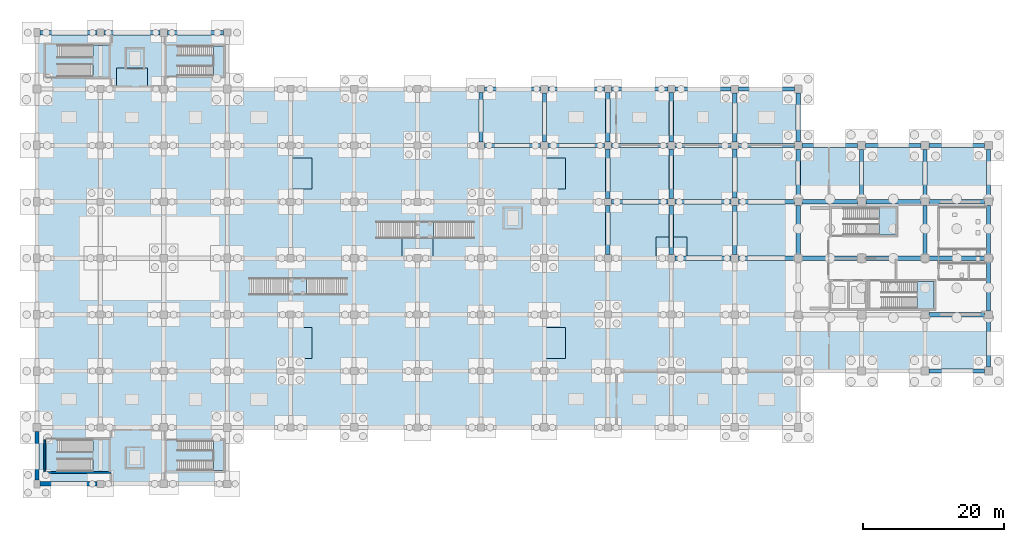
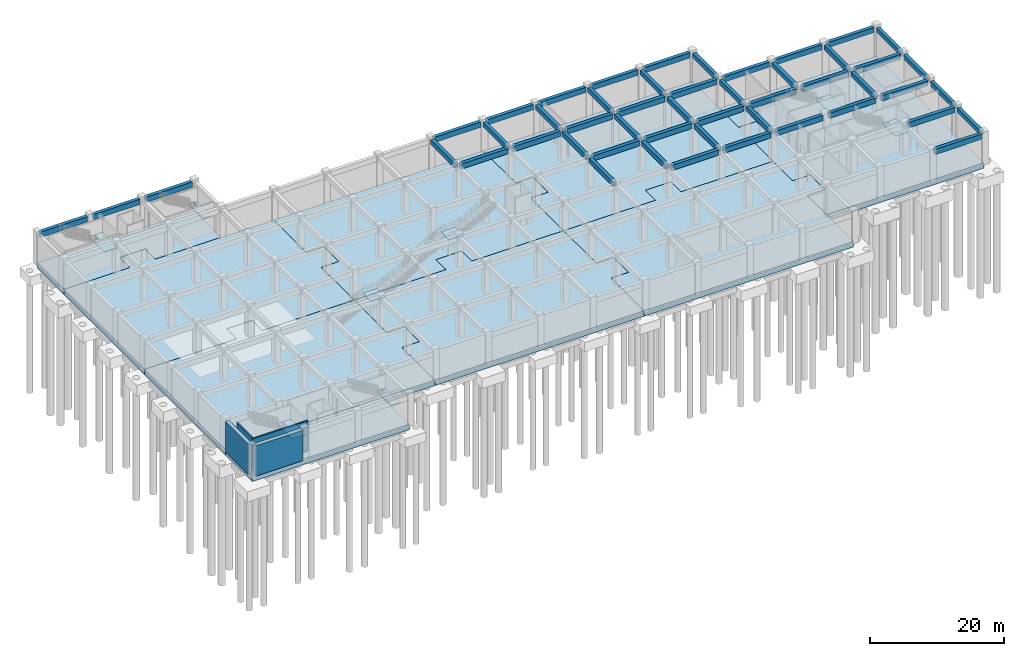
# One storey, part 8 of 18: 50 beams, 17 slabs, 4 walls, 8 elements without a shape of their own.
"""IFC4 building model written with IfcOpenShell, lengths in metres."""

from ifc_helpers import new_model, si_unit, derived_unit, direction, frame, frame_2d, origin, origin_2d, place, context, subcontext, project, spatial, polyline, rectangle, outline, extrude, material, layer, layer_set, material_profile, profile_set, type_object, element, aggregate, save


model = new_model("IFC4")

# Units and contexts
model_context = context("Model", 3, precision=1e-05, world=origin(), true_north=direction((0.0, 1.0)))
body_context = subcontext(model_context, "Body", "Model", "MODEL_VIEW")
ifc_project = project(units=[si_unit("LENGTHUNIT", "METRE"), si_unit("AREAUNIT", "SQUARE_METRE"), si_unit("VOLUMEUNIT", "CUBIC_METRE"), si_unit("PLANEANGLEUNIT", "RADIAN"), si_unit("MASSUNIT", "GRAM", prefix="KILO"), derived_unit("THERMALTRANSMITTANCEUNIT", [(si_unit("MASSUNIT", "GRAM", prefix="KILO"), 1), (si_unit("TIMEUNIT", "SECOND"), -3), (si_unit("THERMODYNAMICTEMPERATUREUNIT", "KELVIN"), -1)])], contexts=[model_context])

# Site, building, storey
site_placement = place(None, origin())
site = spatial("IfcSite", under=ifc_project, at=site_placement, CompositionType="ELEMENT")
building_placement = place(site_placement, origin())
building = spatial("IfcBuilding", under=site, at=building_placement, Name="Zhenchuan Archway Interchange", CompositionType="ELEMENT")
storey_placement = place(building_placement, frame((0.0, 0.0, -12.0)))
storey = spatial("IfcBuildingStorey", under=building, at=storey_placement, Name="B2", CompositionType="ELEMENT", Elevation=-12.0)

# Beams
ifc_material_1 = material(Name="Concrete C40", Category="concrete")
ifc_material_profile_1 = material_profile(ifc_material_1, rectangle(XDim=0.60009765625, YDim=0.85009765625, at=origin_2d()), Name="RC 600x850")
ifc_profile_set_1 = profile_set([ifc_material_profile_1], Name="Concrete C40")
beam_type_1 = type_object("IfcBeamType", Name="BM_RC_600x850", PredefinedType="BEAM", material=ifc_profile_set_1)
beam_1_placement = place(storey_placement, frame((99.0, 72.5, 5.135009765625), z_axis=(0.0, 1.0, 0.0), x_axis=(-1.0, 0.0, 0.0)))
element("IfcBeam", 1, at=beam_1_placement, inside=storey, type_object=beam_type_1, Name="Beam 12:K-L (B2)", PredefinedType="BEAM", context=body_context, shape_type="SweptSolid", body=[
    extrude(rectangle(XDim=0.60009765625, YDim=0.85009765625, at=origin_2d()), origin(), (0.0, 0.0, 1.0), 7.0),
])
beam_2_placement = place(storey_placement, frame((108.0, 72.52490234375, 5.135009765625), z_axis=(0.0, 1.0, 0.0), x_axis=(-1.0, 0.0, 0.0)))
element("IfcBeam", 2, at=beam_2_placement, inside=storey, type_object=beam_type_1, Name="Beam 13:K-L (B2)", PredefinedType="BEAM", context=body_context, shape_type="SweptSolid", body=[
    extrude(rectangle(XDim=0.60009765625, YDim=0.85009765625, at=origin_2d()), origin(), (0.0, 0.0, 1.0), 6.9501953125),
])
for number, where, z_axis, x_axis, name in (
    (3, (117.0, 56.5, 5.135009765625), (0.0, 1.0, 0.0), (-1.0, 0.0, 0.0), "Beam 14:H-J (B2)"),
    (4, (117.0, 64.5, 5.135009765625), (0.0, 1.0, 0.0), (-1.0, 0.0, 0.0), "Beam 14:J-K (B2)"),
    (5, (117.0, 72.5, 5.135009765625), (0.0, 1.0, 0.0), (-1.0, 0.0, 0.0), "Beam 14:K-L (B2)"),
    (6, (126.0, 56.5, 5.135009765625), (0.0, 1.0, 0.0), (-1.0, 0.0, 0.0), "Beam 15:H-J (B2)"),
    (7, (126.0, 64.5, 5.135009765625), (0.0, 1.0, 0.0), (-1.0, 0.0, 0.0), "Beam 15:J-K (B2)"),
    (8, (126.0, 72.5, 5.135009765625), (0.0, 1.0, 0.0), (-1.0, 0.0, 0.0), "Beam 15:K-L (B2)"),
):
    element("IfcBeam", number, at=place(storey_placement, frame(where, z_axis=z_axis, x_axis=x_axis)), inside=storey, type_object=beam_type_1, Name=name, PredefinedType="BEAM", context=body_context, shape_type="SweptSolid", body=[
        extrude(rectangle(XDim=0.60009765625, YDim=0.85009765625, at=origin_2d()), origin(), (0.0, 0.0, 1.0), 7.0),
    ])
for number, where, z_axis, x_axis, name in (
    (9, (135.0, 56.52490234375, 5.135009765625), (0.0, 1.0, 0.0), (-1.0, 0.0, 0.0), "Beam 16:H-J (B2)"),
    (10, (135.0, 64.52490234375, 5.135009765625), (0.0, 1.0, 0.0), (-1.0, 0.0, 0.0), "Beam 16:J-K (B2)"),
    (11, (135.0, 72.52490234375, 5.135009765625), (0.0, 1.0, 0.0), (-1.0, 0.0, 0.0), "Beam 16:K-L (B2)"),
):
    element("IfcBeam", number, at=place(storey_placement, frame(where, z_axis=z_axis, x_axis=x_axis)), inside=storey, type_object=beam_type_1, Name=name, PredefinedType="BEAM", context=body_context, shape_type="SweptSolid", body=[
        extrude(rectangle(XDim=0.60009765625, YDim=0.85009765625, at=origin_2d()), origin(), (0.0, 0.0, 1.0), 6.9501953125),
    ])
for number, where, z_axis, x_axis, name in (
    (12, (144.0, 56.550048828125, 5.135009765625), (0.0, 1.0, 0.0), (-1.0, 0.0, 0.0), "Beam 17:H-J (B2)"),
    (13, (144.0, 64.550048828125, 5.135009765625), (0.0, 1.0, 0.0), (-1.0, 0.0, 0.0), "Beam 17:J-K (B2)"),
    (14, (144.0, 72.550048828125, 5.135009765625), (0.0, 1.0, 0.0), (-1.0, 0.0, 0.0), "Beam 17:K-L (B2)"),
):
    element("IfcBeam", number, at=place(storey_placement, frame(where, z_axis=z_axis, x_axis=x_axis)), inside=storey, type_object=beam_type_1, Name=name, PredefinedType="BEAM", context=body_context, shape_type="SweptSolid", body=[
        extrude(rectangle(XDim=0.60009765625, YDim=0.85009765625, at=origin_2d()), origin(), (0.0, 0.0, 1.0), 6.89990234375),
    ])
beam_3_placement = place(storey_placement, frame((153.0, 64.60009765625, 5.135009765625), z_axis=(0.0, 1.0, 0.0), x_axis=(-1.0, 0.0, 0.0)))
element("IfcBeam", 15, at=beam_3_placement, inside=storey, type_object=beam_type_1, Name="Beam 18:J-K (B2)", PredefinedType="BEAM", context=body_context, shape_type="SweptSolid", body=[
    extrude(rectangle(XDim=0.60009765625, YDim=0.85009765625, at=origin_2d()), origin(), (0.0, 0.0, 1.0), 6.849853515625),
])
for number, where, z_axis, x_axis, name in (
    (16, (162.0, 56.550048828125, 5.135009765625), (0.0, 1.0, 0.0), (-1.0, 0.0, 0.0), "Beam 19:H-J (B2)"),
    (17, (162.0, 64.550048828125, 5.135009765625), (0.0, 1.0, 0.0), (-1.0, 0.0, 0.0), "Beam 19:J-K (B2)"),
    (18, (171.0, 40.550048828125, 5.135009765625), (0.0, 1.0, 0.0), (-1.0, 0.0, 0.0), "Beam 20:F-G (B2)"),
    (19, (171.0, 48.550048828125, 5.135009765625), (0.0, 1.0, 0.0), (-1.0, 0.0, 0.0), "Beam 20:G-H (B2)"),
    (20, (171.0, 56.550048828125, 5.135009765625), (0.0, 1.0, 0.0), (-1.0, 0.0, 0.0), "Beam 20:H-J (B2)"),
    (21, (171.0, 64.550048828125, 5.135009765625), (0.0, 1.0, 0.0), (-1.0, 0.0, 0.0), "Beam 20:J-K (B2)"),
):
    element("IfcBeam", number, at=place(storey_placement, frame(where, z_axis=z_axis, x_axis=x_axis)), inside=storey, type_object=beam_type_1, Name=name, PredefinedType="BEAM", context=body_context, shape_type="SweptSolid", body=[
        extrude(rectangle(XDim=0.60009765625, YDim=0.85009765625, at=origin_2d()), origin(), (0.0, 0.0, 1.0), 6.89990234375),
    ])
ifc_material_profile_2 = material_profile(ifc_material_1, rectangle(XDim=0.60009765625, YDim=0.949951171875, at=origin_2d()), Name="RC 600x950")
ifc_profile_set_2 = profile_set([ifc_material_profile_2], Name="Concrete C40")
beam_type_2 = type_object("IfcBeamType", Name="BM_RC_600x950", PredefinedType="BEAM", material=ifc_profile_set_2)
for number, where, z_axis, x_axis, name in (
    (22, (162.550048828125, 40.0, 5.0849609375), (1.0, 0.0, 0.0), (0.0, 1.0, 0.0), "Beam F:19-20 (B2)"),
    (23, (162.550048828125, 48.0, 5.0849609375), (1.0, 0.0, 0.0), (0.0, 1.0, 0.0), "Beam G:19-20 (B2)"),
):
    element("IfcBeam", number, at=place(storey_placement, frame(where, z_axis=z_axis, x_axis=x_axis)), inside=storey, type_object=beam_type_2, Name=name, PredefinedType="BEAM", context=body_context, shape_type="SweptSolid", body=[
        extrude(rectangle(XDim=0.60009765625, YDim=0.949951171875, at=origin_2d()), origin(), (0.0, 0.0, 1.0), 7.89990234375),
    ])
beam_4_placement = place(storey_placement, frame((126.5, 56.0, 5.0849609375), z_axis=(1.0, 0.0, 0.0), x_axis=(0.0, 1.0, 0.0)))
element("IfcBeam", 24, at=beam_4_placement, inside=storey, type_object=beam_type_2, Name="Beam H:15-16 (B2)", PredefinedType="BEAM", context=body_context, shape_type="SweptSolid", body=[
    extrude(rectangle(XDim=0.60009765625, YDim=0.949951171875, at=origin_2d()), origin(), (0.0, 0.0, 1.0), 7.97509765625),
])
beam_5_placement = place(storey_placement, frame((135.52490234375, 56.0, 5.0849609375), z_axis=(1.0, 0.0, 0.0), x_axis=(0.0, 1.0, 0.0)))
element("IfcBeam", 25, at=beam_5_placement, inside=storey, type_object=beam_type_2, Name="Beam H:16-17 (B2)", PredefinedType="BEAM", context=body_context, shape_type="SweptSolid", body=[
    extrude(rectangle(XDim=0.60009765625, YDim=0.949951171875, at=origin_2d()), origin(), (0.0, 0.0, 1.0), 7.925048828125),
])
for number, where, z_axis, x_axis, name in (
    (26, (144.550048828125, 56.0, 5.0849609375), (1.0, 0.0, 0.0), (0.0, 1.0, 0.0), "Beam H:17-18 (B2)"),
    (27, (153.60009765625, 56.0, 5.0849609375), (1.0, 0.0, 0.0), (0.0, 1.0, 0.0), "Beam H:18-19 (B2)"),
):
    element("IfcBeam", number, at=place(storey_placement, frame(where, z_axis=z_axis, x_axis=x_axis)), inside=storey, type_object=beam_type_2, Name=name, PredefinedType="BEAM", context=body_context, shape_type="SweptSolid", body=[
        extrude(rectangle(XDim=0.60009765625, YDim=0.949951171875, at=origin_2d()), origin(), (0.0, 0.0, 1.0), 7.849853515625),
    ])
beam_6_placement = place(storey_placement, frame((162.550048828125, 56.0, 5.0849609375), z_axis=(1.0, 0.0, 0.0), x_axis=(0.0, 1.0, 0.0)))
element("IfcBeam", 28, at=beam_6_placement, inside=storey, type_object=beam_type_2, Name="Beam H:19-20 (B2)", PredefinedType="BEAM", context=body_context, shape_type="SweptSolid", body=[
    extrude(rectangle(XDim=0.60009765625, YDim=0.949951171875, at=origin_2d()), origin(), (0.0, 0.0, 1.0), 7.89990234375),
])
beam_7_placement = place(storey_placement, frame((117.5, 64.0, 5.0849609375), z_axis=(1.0, 0.0, 0.0), x_axis=(0.0, 1.0, 0.0)))
element("IfcBeam", 29, at=beam_7_placement, inside=storey, type_object=beam_type_2, Name="Beam J:14-15 (B2)", PredefinedType="BEAM", context=body_context, shape_type="SweptSolid", body=[
    extrude(rectangle(XDim=0.60009765625, YDim=0.949951171875, at=origin_2d()), origin(), (0.0, 0.0, 1.0), 8.0),
])
beam_8_placement = place(storey_placement, frame((126.5, 64.0, 5.0849609375), z_axis=(1.0, 0.0, 0.0), x_axis=(0.0, 1.0, 0.0)))
element("IfcBeam", 30, at=beam_8_placement, inside=storey, type_object=beam_type_2, Name="Beam J:15-16 (B2)", PredefinedType="BEAM", context=body_context, shape_type="SweptSolid", body=[
    extrude(rectangle(XDim=0.60009765625, YDim=0.949951171875, at=origin_2d()), origin(), (0.0, 0.0, 1.0), 7.97509765625),
])
beam_9_placement = place(storey_placement, frame((135.52490234375, 64.0, 5.0849609375), z_axis=(1.0, 0.0, 0.0), x_axis=(0.0, 1.0, 0.0)))
element("IfcBeam", 31, at=beam_9_placement, inside=storey, type_object=beam_type_2, Name="Beam J:16-17 (B2)", PredefinedType="BEAM", context=body_context, shape_type="SweptSolid", body=[
    extrude(rectangle(XDim=0.60009765625, YDim=0.949951171875, at=origin_2d()), origin(), (0.0, 0.0, 1.0), 7.925048828125),
])
for number, where, z_axis, x_axis, name in (
    (32, (144.550048828125, 64.0, 5.0849609375), (1.0, 0.0, 0.0), (0.0, 1.0, 0.0), "Beam J:17-18 (B2)"),
    (33, (153.60009765625, 64.0, 5.0849609375), (1.0, 0.0, 0.0), (0.0, 1.0, 0.0), "Beam J:18-19 (B2)"),
):
    element("IfcBeam", number, at=place(storey_placement, frame(where, z_axis=z_axis, x_axis=x_axis)), inside=storey, type_object=beam_type_2, Name=name, PredefinedType="BEAM", context=body_context, shape_type="SweptSolid", body=[
        extrude(rectangle(XDim=0.60009765625, YDim=0.949951171875, at=origin_2d()), origin(), (0.0, 0.0, 1.0), 7.849853515625),
    ])
beam_10_placement = place(storey_placement, frame((162.550048828125, 64.0, 5.0849609375), z_axis=(1.0, 0.0, 0.0), x_axis=(0.0, 1.0, 0.0)))
element("IfcBeam", 34, at=beam_10_placement, inside=storey, type_object=beam_type_2, Name="Beam J:19-20 (B2)", PredefinedType="BEAM", context=body_context, shape_type="SweptSolid", body=[
    extrude(rectangle(XDim=0.60009765625, YDim=0.949951171875, at=origin_2d()), origin(), (0.0, 0.0, 1.0), 7.89990234375),
])
for number, where, z_axis, x_axis, name in (
    (35, (99.5, 72.0, 5.0849609375), (1.0, 0.0, 0.0), (0.0, 1.0, 0.0), "Beam K:12-13 (B2)"),
    (36, (108.52490234375, 72.0, 5.0849609375), (1.0, 0.0, 0.0), (0.0, 1.0, 0.0), "Beam K:13-14 (B2)"),
):
    element("IfcBeam", number, at=place(storey_placement, frame(where, z_axis=z_axis, x_axis=x_axis)), inside=storey, type_object=beam_type_2, Name=name, PredefinedType="BEAM", context=body_context, shape_type="SweptSolid", body=[
        extrude(rectangle(XDim=0.60009765625, YDim=0.949951171875, at=origin_2d()), origin(), (0.0, 0.0, 1.0), 7.97509765625),
    ])
beam_11_placement = place(storey_placement, frame((117.5, 72.0, 5.0849609375), z_axis=(1.0, 0.0, 0.0), x_axis=(0.0, 1.0, 0.0)))
element("IfcBeam", 37, at=beam_11_placement, inside=storey, type_object=beam_type_2, Name="Beam K:14-15 (B2)", PredefinedType="BEAM", context=body_context, shape_type="SweptSolid", body=[
    extrude(rectangle(XDim=0.60009765625, YDim=0.949951171875, at=origin_2d()), origin(), (0.0, 0.0, 1.0), 8.0),
])
beam_12_placement = place(storey_placement, frame((126.5, 72.0, 5.0849609375), z_axis=(1.0, 0.0, 0.0), x_axis=(0.0, 1.0, 0.0)))
element("IfcBeam", 38, at=beam_12_placement, inside=storey, type_object=beam_type_2, Name="Beam K:15-16 (B2)", PredefinedType="BEAM", context=body_context, shape_type="SweptSolid", body=[
    extrude(rectangle(XDim=0.60009765625, YDim=0.949951171875, at=origin_2d()), origin(), (0.0, 0.0, 1.0), 7.97509765625),
])
beam_13_placement = place(storey_placement, frame((135.52490234375, 72.0, 5.0849609375), z_axis=(1.0, 0.0, 0.0), x_axis=(0.0, 1.0, 0.0)))
element("IfcBeam", 39, at=beam_13_placement, inside=storey, type_object=beam_type_2, Name="Beam K:16-17 (B2)", PredefinedType="BEAM", context=body_context, shape_type="SweptSolid", body=[
    extrude(rectangle(XDim=0.60009765625, YDim=0.949951171875, at=origin_2d()), origin(), (0.0, 0.0, 1.0), 7.925048828125),
])
for number, where, z_axis, x_axis, name in (
    (40, (144.550048828125, 72.0, 5.0849609375), (1.0, 0.0, 0.0), (0.0, 1.0, 0.0), "Beam K:17-18 (B2)"),
    (41, (153.550048828125, 72.0, 5.0849609375), (1.0, 0.0, 0.0), (0.0, 1.0, 0.0), "Beam K:18-19 (B2)"),
    (42, (162.550048828125, 72.0, 5.0849609375), (1.0, 0.0, 0.0), (0.0, 1.0, 0.0), "Beam K:19-20 (B2)"),
):
    element("IfcBeam", number, at=place(storey_placement, frame(where, z_axis=z_axis, x_axis=x_axis)), inside=storey, type_object=beam_type_2, Name=name, PredefinedType="BEAM", context=body_context, shape_type="SweptSolid", body=[
        extrude(rectangle(XDim=0.60009765625, YDim=0.949951171875, at=origin_2d()), origin(), (0.0, 0.0, 1.0), 7.89990234375),
    ])
for number, where, z_axis, x_axis, name in (
    (43, (99.5, 80.0, 5.0849609375), (1.0, 0.0, 0.0), (0.0, 1.0, 0.0), "Beam L:12-13 (B2)"),
    (44, (108.52490234375, 80.0, 5.0849609375), (1.0, 0.0, 0.0), (0.0, 1.0, 0.0), "Beam L:13-14 (B2)"),
):
    element("IfcBeam", number, at=place(storey_placement, frame(where, z_axis=z_axis, x_axis=x_axis)), inside=storey, type_object=beam_type_2, Name=name, PredefinedType="BEAM", context=body_context, shape_type="SweptSolid", body=[
        extrude(rectangle(XDim=0.60009765625, YDim=0.949951171875, at=origin_2d()), origin(), (0.0, 0.0, 1.0), 7.97509765625),
    ])
beam_14_placement = place(storey_placement, frame((117.5, 80.0, 5.0849609375), z_axis=(1.0, 0.0, 0.0), x_axis=(0.0, 1.0, 0.0)))
element("IfcBeam", 45, at=beam_14_placement, inside=storey, type_object=beam_type_2, Name="Beam L:14-15 (B2)", PredefinedType="BEAM", context=body_context, shape_type="SweptSolid", body=[
    extrude(rectangle(XDim=0.60009765625, YDim=0.949951171875, at=origin_2d()), origin(), (0.0, 0.0, 1.0), 8.0),
])
beam_15_placement = place(storey_placement, frame((126.5, 80.0, 5.0849609375), z_axis=(1.0, 0.0, 0.0), x_axis=(0.0, 1.0, 0.0)))
element("IfcBeam", 46, at=beam_15_placement, inside=storey, type_object=beam_type_2, Name="Beam L:15-16 (B2)", PredefinedType="BEAM", context=body_context, shape_type="SweptSolid", body=[
    extrude(rectangle(XDim=0.60009765625, YDim=0.949951171875, at=origin_2d()), origin(), (0.0, 0.0, 1.0), 7.97509765625),
])
beam_16_placement = place(storey_placement, frame((135.52490234375, 80.0, 5.0849609375), z_axis=(1.0, 0.0, 0.0), x_axis=(0.0, 1.0, 0.0)))
element("IfcBeam", 47, at=beam_16_placement, inside=storey, type_object=beam_type_2, Name="Beam L:16-17 (B2)", PredefinedType="BEAM", context=body_context, shape_type="SweptSolid", body=[
    extrude(rectangle(XDim=0.60009765625, YDim=0.949951171875, at=origin_2d()), origin(), (0.0, 0.0, 1.0), 7.925048828125),
])
beam_17_placement = place(storey_placement, frame((36.425048828125, 88.0, 5.0849609375), z_axis=(1.0, 0.0, 0.0), x_axis=(0.0, 1.0, 0.0)))
element("IfcBeam", 48, at=beam_17_placement, inside=storey, type_object=beam_type_2, Name="Beam M:5-6 (B2)", PredefinedType="BEAM", context=body_context, shape_type="SweptSolid", body=[
    extrude(rectangle(XDim=0.60009765625, YDim=0.949951171875, at=origin_2d()), origin(), (0.0, 0.0, 1.0), 8.074951171875),
])
for number, where, z_axis, x_axis, name in (
    (49, (45.5, 88.0, 5.0849609375), (1.0, 0.0, 0.0), (0.0, 1.0, 0.0), "Beam M:6-7 (B2)"),
    (50, (54.52490234375, 88.0, 5.0849609375), (1.0, 0.0, 0.0), (0.0, 1.0, 0.0), "Beam M:7-8 (B2)"),
):
    element("IfcBeam", number, at=place(storey_placement, frame(where, z_axis=z_axis, x_axis=x_axis)), inside=storey, type_object=beam_type_2, Name=name, PredefinedType="BEAM", context=body_context, shape_type="SweptSolid", body=[
        extrude(rectangle(XDim=0.60009765625, YDim=0.949951171875, at=origin_2d()), origin(), (0.0, 0.0, 1.0), 7.97509765625),
    ])

# Slabs
ifc_layer_1 = layer(ifc_material_1, 1.0)
ifc_layer_set_1 = layer_set([ifc_layer_1], Name="Concrete C40")
slab_type_1 = type_object("IfcSlabType", Name="SLB_BASE_1000", PredefinedType="BASESLAB", material=ifc_layer_set_1)
slab_1_placement = place(storey_placement, frame((0.0, 0.0, -1.0)))
element("IfcSlab", 51, at=slab_1_placement, inside=storey, type_object=slab_type_1, Name="Structural slab B2 M-W1", PredefinedType="BASESLAB", context=body_context, shape_type="SweptSolid", body=[
    extrude(outline(polyline([(72.0, 46.197998046875), (74.998046875, 46.197998046875), (74.998046875, 41.802001953125), (72.0, 41.802001953125), (72.0, 32.0), (36.0, 32.0), (36.0, 56.0), (51.802001953125, 56.0), (51.802001953125, 58.998046875), (56.197998046875, 58.998046875), (56.197998046875, 56.0), (72.0, 56.0), (72.0, 46.197998046875)])), origin(), (0.0, 0.0, 1.0), 1.0),
])
slab_2_placement = place(storey_placement, frame((0.0, 0.0, -1.0)))
element("IfcSlab", 52, at=slab_2_placement, inside=storey, type_object=slab_type_1, Name="Structural slab B2 M-W2", PredefinedType="BASESLAB", context=body_context, shape_type="SweptSolid", body=[
    extrude(outline(polyline([(47.302001953125, 80.0), (47.302001953125, 82.998046875), (51.697998046875, 82.998046875), (51.697998046875, 80.0), (72.0, 80.0), (72.0, 70.197998046875), (74.998046875, 70.197998046875), (74.998046875, 65.802001953125), (72.0, 65.802001953125), (72.0, 56.0), (56.199951171875, 56.0), (56.199951171875, 59.0), (51.800048828125, 59.0), (51.800048828125, 56.0), (36.0, 56.0), (36.0, 80.0), (47.302001953125, 80.0)])), origin(), (0.0, 0.0, 1.0), 1.0),
])
slab_3_placement = place(storey_placement, frame((0.0, 0.0, -1.0)))
element("IfcSlab", 53, at=slab_3_placement, inside=storey, type_object=slab_type_1, Name="Structural slab B2 M-S", PredefinedType="BASESLAB", context=body_context, shape_type="SweptSolid", body=[
    extrude(outline(polyline([(63.0, 24.0), (63.0, 32.0), (36.0, 32.0), (36.0, 24.0), (63.0, 24.0)])), origin(), (0.0, 0.0, 1.0), 1.0),
])
slab_4_placement = place(storey_placement, frame((0.0, 0.0, -1.0)))
element("IfcSlab", 54, at=slab_4_placement, inside=storey, type_object=slab_type_1, Name="Structural slab B2 M-N", PredefinedType="BASESLAB", context=body_context, shape_type="SweptSolid", body=[
    extrude(outline(polyline([(36.0, 80.0), (36.0, 88.0), (63.0, 88.0), (63.0, 80.0), (51.699951171875, 80.0), (51.699951171875, 83.0), (47.300048828125, 83.0), (47.300048828125, 80.0), (36.0, 80.0)])), origin(), (0.0, 0.0, 1.0), 1.0),
])
slab_5_placement = place(storey_placement, frame((0.0, 0.0, -1.0)))
element("IfcSlab", 55, at=slab_5_placement, inside=storey, type_object=slab_type_1, Name="Structural slab B2 M-C1", PredefinedType="BASESLAB", context=body_context, shape_type="SweptSolid", body=[
    extrude(outline(polyline([(87.802001953125, 58.998046875), (92.197998046875, 58.998046875), (92.197998046875, 56.0), (108.0, 56.0), (108.0, 46.197998046875), (110.998046875, 46.197998046875), (110.998046875, 41.802001953125), (108.0, 41.802001953125), (108.0, 32.0), (72.0, 32.0), (72.0, 41.800048828125), (75.0, 41.800048828125), (75.0, 46.199951171875), (72.0, 46.199951171875), (72.0, 56.0), (87.802001953125, 56.0), (87.802001953125, 58.998046875)])), origin(), (0.0, 0.0, 1.0), 1.0),
])
slab_6_placement = place(storey_placement, frame((0.0, 0.0, -1.0)))
element("IfcSlab", 56, at=slab_6_placement, inside=storey, type_object=slab_type_1, Name="Structural slab B2 M-C2", PredefinedType="BASESLAB", context=body_context, shape_type="SweptSolid", body=[
    extrude(outline(polyline([(108.0, 70.197998046875), (110.998046875, 70.197998046875), (110.998046875, 65.802001953125), (108.0, 65.802001953125), (108.0, 56.0), (92.199951171875, 56.0), (92.199951171875, 59.0), (87.800048828125, 59.0), (87.800048828125, 56.0), (72.0, 56.0), (72.0, 65.800048828125), (75.0, 65.800048828125), (75.0, 70.199951171875), (72.0, 70.199951171875), (72.0, 80.0), (108.0, 80.0), (108.0, 70.197998046875)])), origin(), (0.0, 0.0, 1.0), 1.0),
])
slab_7_placement = place(storey_placement, frame((0.0, 0.0, -1.0)))
element("IfcSlab", 57, at=slab_7_placement, inside=storey, type_object=slab_type_1, Name="Structural slab B2 M-E1", PredefinedType="BASESLAB", context=body_context, shape_type="SweptSolid", body=[
    extrude(outline(polyline([(123.802001953125, 58.998046875), (128.197998046875, 58.998046875), (128.197998046875, 56.0), (144.0, 56.0), (144.0, 50.197998046875), (146.998046875, 50.197998046875), (146.998046875, 45.802001953125), (144.0, 45.802001953125), (144.0, 32.0), (108.0, 32.0), (108.0, 41.800048828125), (111.0, 41.800048828125), (111.0, 46.199951171875), (108.0, 46.199951171875), (108.0, 56.0), (123.802001953125, 56.0), (123.802001953125, 58.998046875)])), origin(), (0.0, 0.0, 1.0), 1.0),
])
slab_8_placement = place(storey_placement, frame((0.0, 0.0, -1.0)))
element("IfcSlab", 58, at=slab_8_placement, inside=storey, type_object=slab_type_1, Name="Structural slab B2 M-E2", PredefinedType="BASESLAB", context=body_context, shape_type="SweptSolid", body=[
    extrude(outline(polyline([(144.0, 66.197998046875), (146.998046875, 66.197998046875), (146.998046875, 61.802001953125), (144.0, 61.802001953125), (144.0, 56.0), (128.199951171875, 56.0), (128.199951171875, 59.0), (123.800048828125, 59.0), (123.800048828125, 56.0), (108.0, 56.0), (108.0, 65.800048828125), (111.0, 65.800048828125), (111.0, 70.199951171875), (108.0, 70.199951171875), (108.0, 80.0), (144.0, 80.0), (144.0, 66.197998046875)])), origin(), (0.0, 0.0, 1.0), 1.0),
])
slab_9_placement = place(storey_placement, frame((0.0, 0.0, -1.0)))
element("IfcSlab", 59, at=slab_9_placement, inside=storey, type_object=slab_type_1, Name="Structural slab B2 M-CORE", PredefinedType="BASESLAB", context=body_context, shape_type="SweptSolid", body=[
    extrude(outline(polyline([(171.0, 72.0), (171.0, 40.0), (144.0, 40.0), (144.0, 45.800048828125), (147.0, 45.800048828125), (147.0, 50.199951171875), (144.0, 50.199951171875), (144.0, 61.800048828125), (147.0, 61.800048828125), (147.0, 66.199951171875), (144.0, 66.199951171875), (144.0, 72.0), (171.0, 72.0)])), origin(), (0.0, 0.0, 1.0), 1.0),
])

# Stair, slab
ifc_material_2 = material(Name="Concrete C35", Category="concrete")
stair_type_1 = type_object("IfcStairType", Name="STR_HALF_1800", PredefinedType="HALF_TURN_STAIR", material=ifc_material_2)
stair_1_placement = place(storey_placement, origin())
stair_1 = element("IfcStair", 60, at=stair_1_placement, inside=storey, type_object=stair_type_1, Name="Stair ST-M1 (B2)", PredefinedType="HALF_TURN_STAIR")
ifc_layer_2 = layer(ifc_material_2, 0.199951171875)
ifc_layer_set_2 = layer_set([ifc_layer_2], Name="Concrete C35")
slab_type_2 = type_object("IfcSlabType", Name="SLB_LANDING_200", PredefinedType="LANDING", material=ifc_layer_set_2)
slab_10_placement = place(storey_placement, frame((0.0, 0.0, 2.800048828125)))
slab_10 = element("IfcSlab", 61, at=slab_10_placement, type_object=slab_type_2, Name="Stair ST-M1 half-landing (B2)", PredefinedType="LANDING", context=body_context, shape_type="SweptSolid", body=[
    extrude(outline(polyline([(43.93505859375, 25.722900390625), (46.22705078125, 25.722900390625), (46.22705078125, 30.277099609375), (43.93505859375, 30.277099609375), (43.93505859375, 25.722900390625)])), origin(), (0.0, 0.0, 1.0), 0.199951171875),
])
aggregate(stair_1, [slab_10])

stair_2_placement = place(storey_placement, origin())
stair_2 = element("IfcStair", 62, at=stair_2_placement, inside=storey, type_object=stair_type_1, Name="Stair ST-M2 (B2)", PredefinedType="HALF_TURN_STAIR")
slab_11_placement = place(storey_placement, frame((0.0, 0.0, 2.800048828125)))
slab_11 = element("IfcSlab", 63, at=slab_11_placement, type_object=slab_type_2, Name="Stair ST-M2 half-landing (B2)", PredefinedType="LANDING", context=body_context, shape_type="SweptSolid", body=[
    extrude(outline(polyline([(43.93505859375, 81.722900390625), (46.22705078125, 81.722900390625), (46.22705078125, 86.277099609375), (43.93505859375, 86.277099609375), (43.93505859375, 81.722900390625)])), origin(), (0.0, 0.0, 1.0), 0.199951171875),
])
aggregate(stair_2, [slab_11])

stair_type_2 = type_object("IfcStairType", Name="STR_HALF_1400", PredefinedType="HALF_TURN_STAIR", material=ifc_material_2)
stair_3_placement = place(storey_placement, origin())
stair_3 = element("IfcStair", 64, at=stair_3_placement, inside=storey, type_object=stair_type_2, Name="Stair ST-M3 (B2)", PredefinedType="HALF_TURN_STAIR")
slab_12_placement = place(storey_placement, frame((0.0, 0.0, 2.800048828125)))
slab_12 = element("IfcSlab", 65, at=slab_12_placement, type_object=slab_type_2, Name="Stair ST-M3 half-landing (B2)", PredefinedType="LANDING", context=body_context, shape_type="SweptSolid", body=[
    extrude(outline(polyline([(61.02490234375, 25.873046875), (62.43701171875, 25.873046875), (62.43701171875, 30.126953125), (61.02490234375, 30.126953125), (61.02490234375, 25.873046875)])), origin(), (0.0, 0.0, 1.0), 0.199951171875),
])
aggregate(stair_3, [slab_12])

stair_4_placement = place(storey_placement, origin())
stair_4 = element("IfcStair", 66, at=stair_4_placement, inside=storey, type_object=stair_type_2, Name="Stair ST-M4 (B2)", PredefinedType="HALF_TURN_STAIR")
slab_13_placement = place(storey_placement, frame((0.0, 0.0, 2.800048828125)))
slab_13 = element("IfcSlab", 67, at=slab_13_placement, type_object=slab_type_2, Name="Stair ST-M4 half-landing (B2)", PredefinedType="LANDING", context=body_context, shape_type="SweptSolid", body=[
    extrude(outline(polyline([(61.02490234375, 81.873046875), (62.43701171875, 81.873046875), (62.43701171875, 86.126953125), (61.02490234375, 86.126953125), (61.02490234375, 81.873046875)])), origin(), (0.0, 0.0, 1.0), 0.199951171875),
])
aggregate(stair_4, [slab_13])

stair_type_3 = type_object("IfcStairType", Name="STR_HALF_1550", PredefinedType="HALF_TURN_STAIR", material=ifc_material_2)
stair_5_placement = place(storey_placement, origin())
stair_5 = element("IfcStair", 68, at=stair_5_placement, inside=storey, type_object=stair_type_3, Name="Stair ST-O1 (B2)", PredefinedType="HALF_TURN_STAIR")
slab_14_placement = place(storey_placement, frame((0.0, 0.0, 2.800048828125)))
slab_14 = element("IfcSlab", 69, at=slab_14_placement, type_object=slab_type_2, Name="Stair ST-O1 half-landing (B2)", PredefinedType="LANDING", context=body_context, shape_type="SweptSolid", body=[
    extrude(outline(polyline([(155.485107421875, 59.27294921875), (157.876953125, 59.27294921875), (157.876953125, 63.126953125), (155.485107421875, 63.126953125), (155.485107421875, 59.27294921875)])), origin(), (0.0, 0.0, 1.0), 0.199951171875),
])
aggregate(stair_5, [slab_14])

stair_type_4 = type_object("IfcStairType", Name="STR_HALF_1600", PredefinedType="HALF_TURN_STAIR", material=ifc_material_2)
stair_6_placement = place(storey_placement, origin())
stair_6 = element("IfcStair", 70, at=stair_6_placement, inside=storey, type_object=stair_type_4, Name="Stair ST-O2 (B2)", PredefinedType="HALF_TURN_STAIR")
slab_15_placement = place(storey_placement, frame((0.0, 0.0, 2.800048828125)))
slab_15 = element("IfcSlab", 71, at=slab_15_placement, type_object=slab_type_2, Name="Stair ST-O2 half-landing (B2)", PredefinedType="LANDING", context=body_context, shape_type="SweptSolid", body=[
    extrude(outline(polyline([(160.885009765625, 48.873046875), (163.277099609375, 48.873046875), (163.277099609375, 52.72705078125), (160.885009765625, 52.72705078125), (160.885009765625, 48.873046875)])), origin(), (0.0, 0.0, 1.0), 0.199951171875),
])
aggregate(stair_6, [slab_15])

stair_type_5 = type_object("IfcStairType", Name="STR_MON_2400", PredefinedType="STRAIGHT_RUN_STAIR", material=ifc_material_2)
stair_7_placement = place(storey_placement, origin())
stair_7 = element("IfcStair", 72, at=stair_7_placement, inside=storey, type_object=stair_type_5, Name="Monumental public stair ST-P1", PredefinedType="STRAIGHT_RUN_STAIR")
ifc_layer_3 = layer(ifc_material_2, 0.219970703125)
ifc_layer_set_3 = layer_set([ifc_layer_3], Name="Concrete C35")
slab_type_3 = type_object("IfcSlabType", Name="SLB_LANDING_220", PredefinedType="LANDING", material=ifc_layer_set_3)
slab_16_placement = place(storey_placement, frame((0.0, 0.0, 2.780029296875)))
slab_16 = element("IfcSlab", 73, at=slab_16_placement, type_object=slab_type_3, Name="Monumental stair ST-P1 intermediate landing", PredefinedType="LANDING", context=body_context, shape_type="SweptSolid", body=[
    extrude(outline(polyline([(71.8798828125, 50.800048828125), (74.280029296875, 50.800048828125), (74.280029296875, 53.199951171875), (71.8798828125, 53.199951171875), (71.8798828125, 50.800048828125)])), origin(), (0.0, 0.0, 1.0), 0.219970703125),
])
aggregate(stair_7, [slab_16])

stair_type_6 = type_object("IfcStairType", Name="STR_MON_2350", PredefinedType="STRAIGHT_RUN_STAIR", material=ifc_material_2)
stair_8_placement = place(storey_placement, origin())
stair_8 = element("IfcStair", 74, at=stair_8_placement, inside=storey, type_object=stair_type_6, Name="Monumental public stair ST-P2", PredefinedType="STRAIGHT_RUN_STAIR")
slab_17_placement = place(storey_placement, frame((0.0, 0.0, 2.780029296875)))
slab_17 = element("IfcSlab", 75, at=slab_17_placement, type_object=slab_type_3, Name="Monumental stair ST-P2 intermediate landing", PredefinedType="LANDING", context=body_context, shape_type="SweptSolid", body=[
    extrude(outline(polyline([(89.8798828125, 58.824951171875), (92.280029296875, 58.824951171875), (92.280029296875, 61.175048828125), (89.8798828125, 61.175048828125), (89.8798828125, 58.824951171875)])), origin(), (0.0, 0.0, 1.0), 0.219970703125),
])
aggregate(stair_8, [slab_17])

# Walls
ifc_layer_4 = layer(ifc_material_1, 0.60009765625)
ifc_layer_set_4 = layer_set([ifc_layer_4], Name="Concrete C40")
wall_type_1 = type_object("IfcWallType", Name="EW_DIAPH_600", PredefinedType="STANDARD", material=ifc_layer_set_4)
wall_1_placement = place(storey_placement, frame((44.501953125, 24.0, 0.0), z_axis=(0.0, 0.0, 1.0), x_axis=(-1.0, 0.0, 0.0)))
element("IfcWall", 76, at=wall_1_placement, inside=storey, type_object=wall_type_1, Name="Basement diaphragm wall B2-045", PredefinedType="STANDARD", context=body_context, shape_type="SweptSolid", body=[
    extrude(rectangle(XDim=8.078857421875, YDim=0.60009765625, at=frame_2d((4.03955078125, 0.0))), origin(), (0.0, 0.0, 1.0), 5.5400390625),
])
wall_2_placement = place(storey_placement, frame((36.0, 24.572998046875, 0.0), z_axis=(0.0, 0.0, 1.0), x_axis=(0.0, 1.0, 0.0)))
element("IfcWall", 77, at=wall_2_placement, inside=storey, type_object=wall_type_1, Name="Basement diaphragm wall B2-046", PredefinedType="STANDARD", context=body_context, shape_type="SweptSolid", body=[
    extrude(rectangle(XDim=6.87890625, YDim=0.60009765625, at=frame_2d((3.439453125, 0.0))), origin(), (0.0, 0.0, 1.0), 5.5400390625),
])
ifc_layer_5 = layer(ifc_material_1, 0.25)
ifc_layer_set_5 = layer_set([ifc_layer_5], Name="Concrete C40")
wall_type_2 = type_object("IfcWallType", Name="WL_STAIR_250", PredefinedType="SHEAR", material=ifc_layer_set_5)
wall_3_placement = place(storey_placement, frame((36.97509765625, 25.60009765625, 0.0), z_axis=(0.0, 0.0, 1.0), x_axis=(1.0, 0.0, 0.0)))
element("IfcWall", 78, at=wall_3_placement, inside=storey, type_object=wall_type_2, Name="Stair ST-M1 south wall (B2)", PredefinedType="SHEAR", context=body_context, shape_type="SweptSolid", body=[
    extrude(rectangle(XDim=9.5, YDim=0.25, at=frame_2d((4.75, 0.0))), origin(), (0.0, 0.0, 1.0), 5.530029296875),
])
wall_4_placement = place(storey_placement, frame((37.10009765625, 30.27490234375, 0.0), z_axis=(0.0, 0.0, 1.0), x_axis=(0.0, -1.0, 0.0)))
element("IfcWall", 79, at=wall_4_placement, inside=storey, type_object=wall_type_2, Name="Stair ST-M1 west wall (B2)", PredefinedType="SHEAR", context=body_context, shape_type="SweptSolid", body=[
    extrude(rectangle(XDim=4.5498046875, YDim=0.25, at=frame_2d((2.27490234375, 0.0))), origin(), (0.0, 0.0, 1.0), 5.530029296875),
])

save(model, "model.ifc")
